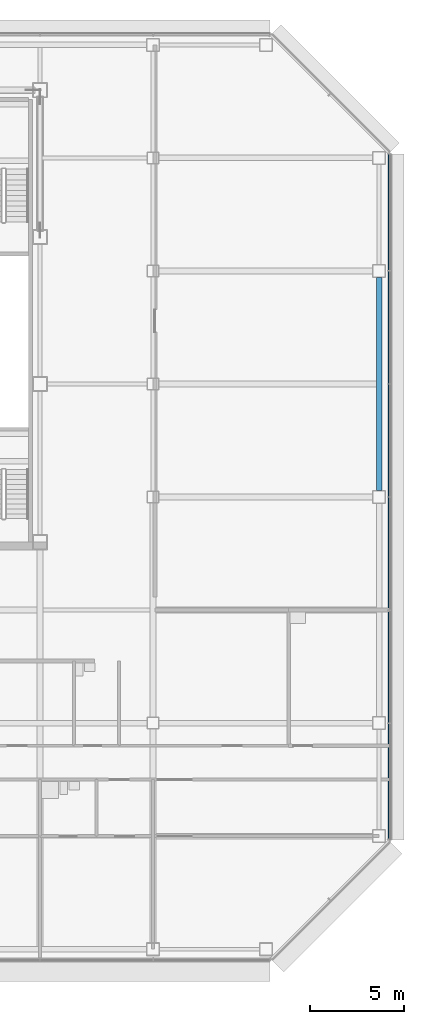
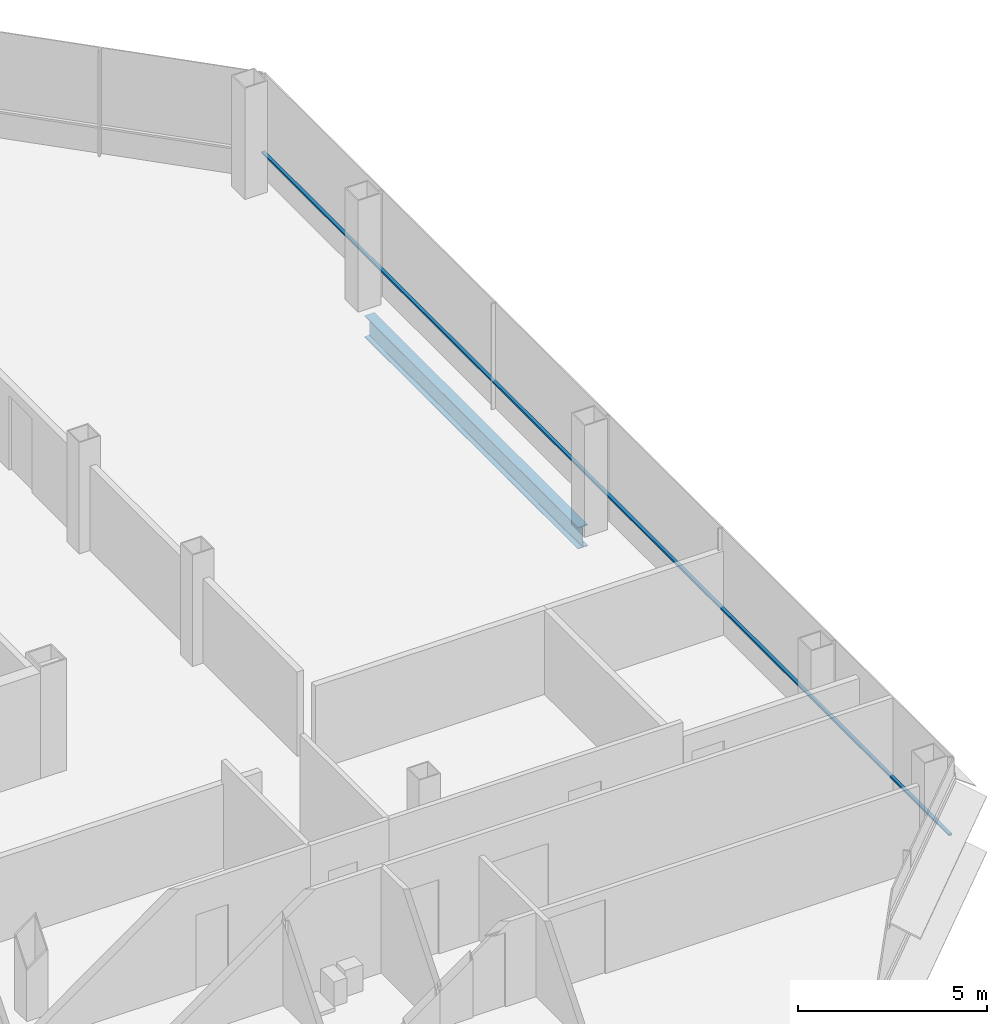
# One storey, part 16 of 24: 1 beam, 1 member, 1 element without a shape of its own.
"""IFC4 building model written with IfcOpenShell, lengths in metres."""

from ifc_helpers import new_model, si_unit, direction, frame, origin, origin_2d, place, context, subcontext, project, spatial, rectangle, i_section, extrude, material, material_profile, profile_set, type_object, element, aggregate, save


model = new_model("IFC4")

# Units and contexts
model_context = context("Model", 3, precision=1e-05, world=origin(), true_north=direction((0.0, 1.0)))
body_context = subcontext(model_context, "Body", "Model", "MODEL_VIEW")
ifc_project = project(units=[si_unit("LENGTHUNIT", "METRE"), si_unit("AREAUNIT", "SQUARE_METRE"), si_unit("VOLUMEUNIT", "CUBIC_METRE"), si_unit("PLANEANGLEUNIT", "RADIAN"), si_unit("MASSUNIT", "GRAM", prefix="KILO")], contexts=[model_context])

# Site, building, storey
site_placement = place(None, origin())
site = spatial("IfcSite", under=ifc_project, at=site_placement, CompositionType="ELEMENT")
building_placement = place(site_placement, origin())
building = spatial("IfcBuilding", under=site, at=building_placement, Name="Sorahane Residences", CompositionType="ELEMENT")
storey_placement = place(building_placement, frame((0.0, 0.0, 178.0)))
storey = spatial("IfcBuildingStorey", under=building, at=storey_placement, Name="L41", CompositionType="ELEMENT", Elevation=178.0)

# Curtain wall, member
ifc_material_1 = material(Name="Dark low-e glass and black anodised aluminium", Category="aluminium")
curtain_wall_type = type_object("IfcCurtainWallType", Name="Curtain wall CW-1 Typical unitised wall", PredefinedType="NOTDEFINED", material=ifc_material_1)
curtain_wall_placement = place(storey_placement, origin())
curtain_wall = element("IfcCurtainWall", 1, at=curtain_wall_placement, inside=storey, type_object=curtain_wall_type, Name="CW-1 curtain wall L41 E1", PredefinedType="NOTDEFINED")
ifc_material_2 = material(Name="Black anodised aluminium", Category="aluminium")
ifc_material_profile_1 = material_profile(ifc_material_2, rectangle(XDim=0.10009765625, YDim=0.06005859375, at=origin_2d()), Name="Curtain wall transom CW-1 black anodised aluminium 60x100")
ifc_profile_set_1 = profile_set([ifc_material_profile_1], Name="Black anodised aluminium")
member_type = type_object("IfcMemberType", Name="Curtain wall transom CW-1 black anodised aluminium 60x100", PredefinedType="USERDEFINED", material=ifc_profile_set_1)
member_placement = place(storey_placement, frame((60.530029296875, 5.801513671875, 0.89990234375), z_axis=(0.0, 1.0, 0.0), x_axis=(-1.0, 0.0, 0.0)))
member = element("IfcMember", 2, at=member_placement, type_object=member_type, Name="CW-1 transom L41 E1", ObjectType="TRANSOM", PredefinedType="USERDEFINED", context=body_context, shape_type="SweptSolid", body=[
    extrude(rectangle(XDim=0.10009765625, YDim=0.06005859375, at=origin_2d()), origin(), (0.0, 0.0, 1.0), 36.39697265625),
])
aggregate(curtain_wall, [member])

# Beam
ifc_material_3 = material(Name="Steel Q355B", Category="steel")
ifc_material_profile_2 = material_profile(ifc_material_3, i_section(OverallWidth=0.300048828125, OverallDepth=0.699951171875, WebThickness=0.012939453125, FlangeThickness=0.02392578125, FilletRadius=0.028076171875, at=origin_2d()), Name="HN 700x300x13x24")
ifc_profile_set_2 = profile_set([ifc_material_profile_2], Name="Steel Q355B")
beam_type = type_object("IfcBeamType", Name="Steel floor beam HN 700x300x13x24 Q355B", PredefinedType="BEAM", material=ifc_profile_set_2)
beam_placement = place(storey_placement, frame((60.0, 24.35009765625, -0.530029296875), z_axis=(0.0, 1.0, 0.0), x_axis=(-1.0, 0.0, 0.0)))
element("IfcBeam", 3, at=beam_placement, inside=storey, type_object=beam_type, Name="Beam L41 066", PredefinedType="BEAM", context=body_context, shape_type="SweptSolid", body=[
    extrude(i_section(OverallWidth=0.300048828125, OverallDepth=0.699951171875, WebThickness=0.012939453125, FlangeThickness=0.02392578125, FilletRadius=0.028076171875, at=origin_2d()), origin(), (0.0, 0.0, 1.0), 11.2998046875),
])

save(model, "model.ifc")
